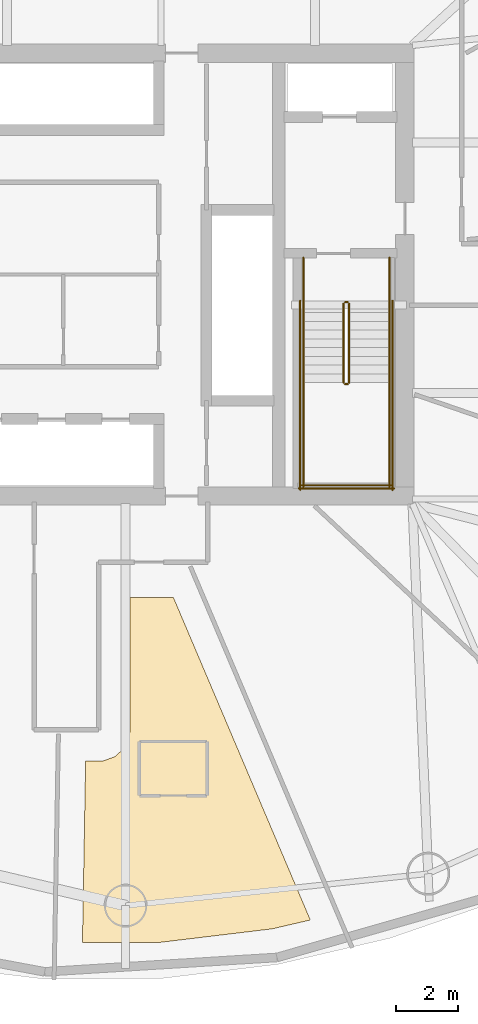
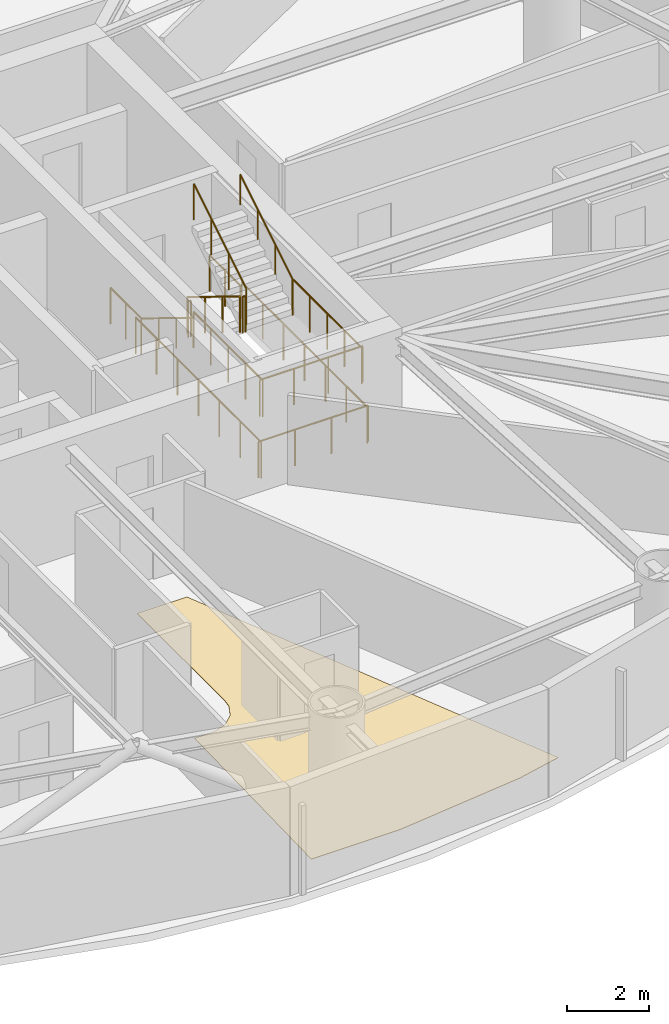
# One storey, part 19 of 20: 14 railings, 1 covering.
"""IFC4 building model written with IfcOpenShell, lengths in metres."""

from ifc_helpers import new_model, si_unit, direction, frame, origin, origin_2d, place, context, subcontext, project, spatial, polyline, circle, outline, extrude, material, layer, layer_set, type_object, element, save


model = new_model("IFC4")

# Units and contexts
model_context = context("Model", 3, precision=1e-05, world=origin(), true_north=direction((0.0, 1.0)))
body_context = subcontext(model_context, "Body", "Model", "MODEL_VIEW")
ifc_project = project(units=[si_unit("LENGTHUNIT", "METRE"), si_unit("AREAUNIT", "SQUARE_METRE"), si_unit("VOLUMEUNIT", "CUBIC_METRE"), si_unit("PLANEANGLEUNIT", "RADIAN"), si_unit("MASSUNIT", "GRAM", prefix="KILO")], contexts=[model_context])

# Site, building, storey
site_placement = place(None, origin())
site = spatial("IfcSite", under=ifc_project, at=site_placement, CompositionType="ELEMENT")
building_placement = place(site_placement, origin())
building = spatial("IfcBuilding", under=site, at=building_placement, Name="Bramvorn Convention Spire", CompositionType="ELEMENT")
storey_placement = place(building_placement, frame((0.0, 0.0, 106.300048828125)))
storey = spatial("IfcBuildingStorey", under=building, at=storey_placement, Name="L25", CompositionType="ELEMENT", Elevation=106.300048828125)

# Covering
ifc_material_1 = material(Name="Solution-Dyed Wool Broadloom Hospitality Carpet", Category="textile")
ifc_layer = layer(ifc_material_1, 0.014892578125)
ifc_layer_set = layer_set([ifc_layer], Name="Solution-Dyed Wool Broadloom Hospitality Carpet - FLR-CARPET-15")
covering_type = type_object("IfcCoveringType", Name="FLR-CARPET-15", PredefinedType="FLOORING", material=ifc_layer_set)
covering_placement = place(storey_placement, origin())
element("IfcCovering", 1, at=covering_placement, inside=storey, type_object=covering_type, Name="Hotel Suite 2512 wool broadloom carpet", PredefinedType="FLOORING", context=body_context, shape_type="SweptSolid", body=[
    extrude(outline(polyline([(44.6845703125, 4.7275390625), (45.92919921875, 5.016357421875), (41.479248046875, 15.5), (40.070068359375, 15.5), (40.070068359375, 11.199951171875), (40.037841796875, 10.946533203125), (39.865478515625, 10.587646484375), (39.5693359375, 10.322265625), (39.20556640625, 10.19189453125), (38.6240234375, 10.179931640625), (38.52099609375, 4.278564453125), (41.0419921875, 4.2890625), (44.6845703125, 4.7275390625)])), origin(), (0.0, 0.0, 1.0), 0.014892578125),
])

# Railings
ifc_material_2 = material(Name="Painted Steel Balustrade & Guardrail", Category="steel")
railing_type_1 = type_object("IfcRailingType", Name="RL-STAIR-GUARD-1100", PredefinedType="GUARDRAIL", material=ifc_material_2)
railing_1_placement = place(storey_placement, frame((47.010009765625, 25.050048828125, 0.175048828125)))
element("IfcRailing", 2, at=railing_1_placement, inside=storey, type_object=railing_type_1, Name="L25 ST2 stair guard 1", PredefinedType="GUARDRAIL", context=body_context, shape_type="SweptSolid", body=[
    extrude(circle(Radius=0.02392578125, at=origin_2d()), frame((0.0, 0.0, 1.076171875), z_axis=(0.0, -0.852173129349, 0.523259933127), x_axis=(1.0, 0.0, 0.0)), (0.0, 0.0, 1.0), 3.009765625),
    extrude(circle(Radius=0.02099609375, at=origin_2d()), origin(), (0.0, 0.0, 1.0), 1.052001953125),
    extrude(circle(Radius=0.02099609375, at=origin_2d()), frame((0.0, -0.85498046875, 0.52490234375)), (0.0, 0.0, 1.0), 1.052001953125),
    extrude(circle(Radius=0.02099609375, at=origin_2d()), frame((0.0, -1.7099609375, 1.050048828125)), (0.0, 0.0, 1.0), 1.052001953125),
    extrude(circle(Radius=0.02099609375, at=origin_2d()), frame((0.0, -2.56494140625, 1.574951171875)), (0.0, 0.0, 1.0), 1.052001953125),
])
railing_2_placement = place(storey_placement, frame((47.06005859375, 22.43505859375, 1.75)))
element("IfcRailing", 3, at=railing_2_placement, inside=storey, type_object=railing_type_1, Name="L25 ST2 stair guard 2", PredefinedType="GUARDRAIL", context=body_context, shape_type="SweptSolid", body=[
    extrude(circle(Radius=0.02392578125, at=origin_2d()), frame((0.0, 0.0, 1.076171875), z_axis=(1.0, 0.0, 0.0), x_axis=(0.0, 1.0, 0.0)), (0.0, 0.0, 1.0), 0.079833984375),
    extrude(circle(Radius=0.02099609375, at=origin_2d()), origin(), (0.0, 0.0, 1.0), 1.052001953125),
    extrude(circle(Radius=0.02099609375, at=origin_2d()), frame((0.079833984375, 0.0, 0.0)), (0.0, 0.0, 1.0), 1.052001953125),
])
for number, where, name in (
    (4, (45.699951171875, 22.485107421875, 1.75), "L25 ST2 stair guard 3"),
    (5, (48.5, 22.485107421875, 1.75), "L25 ST2 stair guard 4"),
):
    element("IfcRailing", number, at=place(storey_placement, frame(where)), inside=storey, type_object=railing_type_1, Name=name, PredefinedType="GUARDRAIL", context=body_context, shape_type="SweptSolid", body=[
        extrude(circle(Radius=0.02392578125, at=origin_2d()), frame((0.0, 0.0, 1.076171875), z_axis=(0.0, -1.0, 0.0), x_axis=(1.0, 0.0, 0.0)), (0.0, 0.0, 1.0), 3.385009765625),
        extrude(circle(Radius=0.02099609375, at=origin_2d()), origin(), (0.0, 0.0, 1.0), 1.052001953125),
        extrude(circle(Radius=0.02099609375, at=origin_2d()), frame((0.0, -0.84619140625, 0.0)), (0.0, 0.0, 1.0), 1.052001953125),
        extrude(circle(Radius=0.02099609375, at=origin_2d()), frame((0.0, -1.6923828125, 0.0)), (0.0, 0.0, 1.0), 1.052001953125),
        extrude(circle(Radius=0.02099609375, at=origin_2d()), frame((0.0, -2.538818359375, 0.0)), (0.0, 0.0, 1.0), 1.052001953125),
        extrude(circle(Radius=0.02099609375, at=origin_2d()), frame((0.0, -3.385009765625, 0.0)), (0.0, 0.0, 1.0), 1.052001953125),
    ])
railing_3_placement = place(storey_placement, frame((45.64990234375, 19.14990234375, 1.75)))
element("IfcRailing", 6, at=railing_3_placement, inside=storey, type_object=railing_type_1, Name="L25 ST2 stair guard 5", PredefinedType="GUARDRAIL", context=body_context, shape_type="SweptSolid", body=[
    extrude(circle(Radius=0.02392578125, at=origin_2d()), frame((0.0, 0.0, 1.076171875), z_axis=(1.0, 0.0, 0.0), x_axis=(0.0, 1.0, 0.0)), (0.0, 0.0, 1.0), 2.900146484375),
    extrude(circle(Radius=0.02099609375, at=origin_2d()), origin(), (0.0, 0.0, 1.0), 1.052001953125),
    extrude(circle(Radius=0.02099609375, at=origin_2d()), frame((0.966796875, 0.0, 0.0)), (0.0, 0.0, 1.0), 1.052001953125),
    extrude(circle(Radius=0.02099609375, at=origin_2d()), frame((1.933349609375, 0.0, 0.0)), (0.0, 0.0, 1.0), 1.052001953125),
    extrude(circle(Radius=0.02099609375, at=origin_2d()), frame((2.900146484375, 0.0, 0.0)), (0.0, 0.0, 1.0), 1.052001953125),
])
railing_4_placement = place(storey_placement, frame((47.18994140625, 22.485107421875, 1.925048828125)))
element("IfcRailing", 7, at=railing_4_placement, inside=storey, type_object=railing_type_1, Name="L25 ST2 stair guard 6", PredefinedType="GUARDRAIL", context=body_context, shape_type="SweptSolid", body=[
    extrude(circle(Radius=0.02392578125, at=origin_2d()), frame((0.0, 0.0, 1.076171875), z_axis=(0.0, 0.852173129349, 0.523259933127), x_axis=(-1.0, 0.0, 0.0)), (0.0, 0.0, 1.0), 3.009765625),
    extrude(circle(Radius=0.02099609375, at=origin_2d()), origin(), (0.0, 0.0, 1.0), 1.052001953125),
    extrude(circle(Radius=0.02099609375, at=origin_2d()), frame((0.0, 0.85498046875, 0.52490234375)), (0.0, 0.0, 1.0), 1.052001953125),
    extrude(circle(Radius=0.02099609375, at=origin_2d()), frame((0.0, 1.7099609375, 1.050048828125)), (0.0, 0.0, 1.0), 1.052001953125),
    extrude(circle(Radius=0.02099609375, at=origin_2d()), frame((0.0, 2.56494140625, 1.574951171875)), (0.0, 0.0, 1.0), 1.052001953125),
])
railing_5_placement = place(storey_placement, frame((47.06005859375, 25.10009765625, 0.0)))
element("IfcRailing", 8, at=railing_5_placement, inside=storey, type_object=railing_type_1, Name="L25 ST2 stair guard 7", PredefinedType="GUARDRAIL", context=body_context, shape_type="SweptSolid", body=[
    extrude(circle(Radius=0.02392578125, at=origin_2d()), frame((0.0, 0.0, 1.076171875), z_axis=(1.0, 0.0, 0.0), x_axis=(0.0, 1.0, 0.0)), (0.0, 0.0, 1.0), 0.079833984375),
    extrude(circle(Radius=0.02099609375, at=origin_2d()), origin(), (0.0, 0.0, 1.0), 1.052001953125),
    extrude(circle(Radius=0.02099609375, at=origin_2d()), frame((0.079833984375, 0.0, 0.0)), (0.0, 0.0, 1.0), 1.052001953125),
])
for number, where, name in (
    (9, (45.699951171875, 26.550048828125, 0.0), "L25 ST2 stair guard 8"),
    (10, (48.5, 26.550048828125, 0.0), "L25 ST2 stair guard 9"),
):
    element("IfcRailing", number, at=place(storey_placement, frame(where)), inside=storey, type_object=railing_type_1, Name=name, PredefinedType="GUARDRAIL", context=body_context, shape_type="SweptSolid", body=[
        extrude(circle(Radius=0.02392578125, at=origin_2d()), frame((0.0, 0.0, 1.076171875), z_axis=(0.0, -1.0, 0.0), x_axis=(1.0, 0.0, 0.0)), (0.0, 0.0, 1.0), 1.5),
        extrude(circle(Radius=0.02099609375, at=origin_2d()), origin(), (0.0, 0.0, 1.0), 1.052001953125),
        extrude(circle(Radius=0.02099609375, at=origin_2d()), frame((0.0, -0.75, 0.0)), (0.0, 0.0, 1.0), 1.052001953125),
        extrude(circle(Radius=0.02099609375, at=origin_2d()), frame((0.0, -1.5, 0.0)), (0.0, 0.0, 1.0), 1.052001953125),
    ])
for number, where, name in (
    (11, (45.60009765625, 25.14990234375, 0.0), "L25 ST2 stair guard 10"),
    (12, (48.60009765625, 25.14990234375, 0.0), "L25 ST2 stair guard 11"),
):
    element("IfcRailing", number, at=place(storey_placement, frame(where)), inside=storey, type_object=railing_type_1, Name=name, PredefinedType="GUARDRAIL", context=body_context, shape_type="SweptSolid", body=[
        extrude(circle(Radius=0.02392578125, at=origin_2d()), frame((0.0, 0.0, 1.076171875), z_axis=(0.0, -1.0, 0.0), x_axis=(1.0, 0.0, 0.0)), (0.0, 0.0, 1.0), 6.14990234375),
        extrude(circle(Radius=0.02099609375, at=origin_2d()), origin(), (0.0, 0.0, 1.0), 1.052001953125),
        extrude(circle(Radius=0.02099609375, at=origin_2d()), frame((0.0, -1.02490234375, 0.0)), (0.0, 0.0, 1.0), 1.052001953125),
        extrude(circle(Radius=0.02099609375, at=origin_2d()), frame((0.0, -2.050048828125, 0.0)), (0.0, 0.0, 1.0), 1.052001953125),
        extrude(circle(Radius=0.02099609375, at=origin_2d()), frame((0.0, -3.074951171875, 0.0)), (0.0, 0.0, 1.0), 1.052001953125),
        extrude(circle(Radius=0.02099609375, at=origin_2d()), frame((0.0, -4.099853515625, 0.0)), (0.0, 0.0, 1.0), 1.052001953125),
        extrude(circle(Radius=0.02099609375, at=origin_2d()), frame((0.0, -5.125, 0.0)), (0.0, 0.0, 1.0), 1.052001953125),
        extrude(circle(Radius=0.02099609375, at=origin_2d()), frame((0.0, -6.14990234375, 0.0)), (0.0, 0.0, 1.0), 1.052001953125),
    ])
railing_6_placement = place(storey_placement, frame((45.550048828125, 19.050048828125, 0.0)))
element("IfcRailing", 13, at=railing_6_placement, inside=storey, type_object=railing_type_1, Name="L25 ST2 stair guard 12", PredefinedType="GUARDRAIL", context=body_context, shape_type="SweptSolid", body=[
    extrude(circle(Radius=0.02392578125, at=origin_2d()), frame((0.0, 0.0, 1.076171875), z_axis=(1.0, 0.0, 0.0), x_axis=(0.0, 1.0, 0.0)), (0.0, 0.0, 1.0), 3.099853515625),
    extrude(circle(Radius=0.02099609375, at=origin_2d()), origin(), (0.0, 0.0, 1.0), 1.052001953125),
    extrude(circle(Radius=0.02099609375, at=origin_2d()), frame((1.033203125, 0.0, 0.0)), (0.0, 0.0, 1.0), 1.052001953125),
    extrude(circle(Radius=0.02099609375, at=origin_2d()), frame((2.066650390625, 0.0, 0.0)), (0.0, 0.0, 1.0), 1.052001953125),
    extrude(circle(Radius=0.02099609375, at=origin_2d()), frame((3.099853515625, 0.0, 0.0)), (0.0, 0.0, 1.0), 1.052001953125),
])
ifc_material_3 = material(Name="Brushed Bronze Tubular Handrail", Category="aluminium")
railing_type_2 = type_object("IfcRailingType", Name="RL-STAIR-HR-920", PredefinedType="HANDRAIL", material=ifc_material_3)
railing_7_placement = place(storey_placement, frame((45.699951171875, 25.050048828125, 0.175048828125)))
element("IfcRailing", 14, at=railing_7_placement, inside=storey, type_object=railing_type_2, Name="L25 ST2 stair handrail 1", PredefinedType="HANDRAIL", context=body_context, shape_type="SweptSolid", body=[
    extrude(circle(Radius=0.02392578125, at=origin_2d()), frame((0.0, 0.0, 0.89599609375), z_axis=(0.0, -0.852173129349, 0.523259933127), x_axis=(1.0, 0.0, 0.0)), (0.0, 0.0, 1.0), 3.009765625),
    extrude(circle(Radius=0.02099609375, at=origin_2d()), origin(), (0.0, 0.0, 1.0), 0.871826171875),
    extrude(circle(Radius=0.02099609375, at=origin_2d()), frame((0.0, -0.85498046875, 0.52490234375)), (0.0, 0.0, 1.0), 0.871826171875),
    extrude(circle(Radius=0.02099609375, at=origin_2d()), frame((0.0, -1.7099609375, 1.050048828125)), (0.0, 0.0, 1.0), 0.871826171875),
    extrude(circle(Radius=0.02099609375, at=origin_2d()), frame((0.0, -2.56494140625, 1.574951171875)), (0.0, 0.0, 1.0), 0.871826171875),
])
railing_8_placement = place(storey_placement, frame((48.5, 22.485107421875, 1.925048828125)))
element("IfcRailing", 15, at=railing_8_placement, inside=storey, type_object=railing_type_2, Name="L25 ST2 stair handrail 2", PredefinedType="HANDRAIL", context=body_context, shape_type="SweptSolid", body=[
    extrude(circle(Radius=0.02392578125, at=origin_2d()), frame((0.0, 0.0, 0.89599609375), z_axis=(0.0, 0.852173129349, 0.523259933127), x_axis=(-1.0, 0.0, 0.0)), (0.0, 0.0, 1.0), 3.009765625),
    extrude(circle(Radius=0.02099609375, at=origin_2d()), origin(), (0.0, 0.0, 1.0), 0.871826171875),
    extrude(circle(Radius=0.02099609375, at=origin_2d()), frame((0.0, 0.85498046875, 0.52490234375)), (0.0, 0.0, 1.0), 0.871826171875),
    extrude(circle(Radius=0.02099609375, at=origin_2d()), frame((0.0, 1.7099609375, 1.050048828125)), (0.0, 0.0, 1.0), 0.871826171875),
    extrude(circle(Radius=0.02099609375, at=origin_2d()), frame((0.0, 2.56494140625, 1.574951171875)), (0.0, 0.0, 1.0), 0.871826171875),
])

save(model, "model.ifc")
